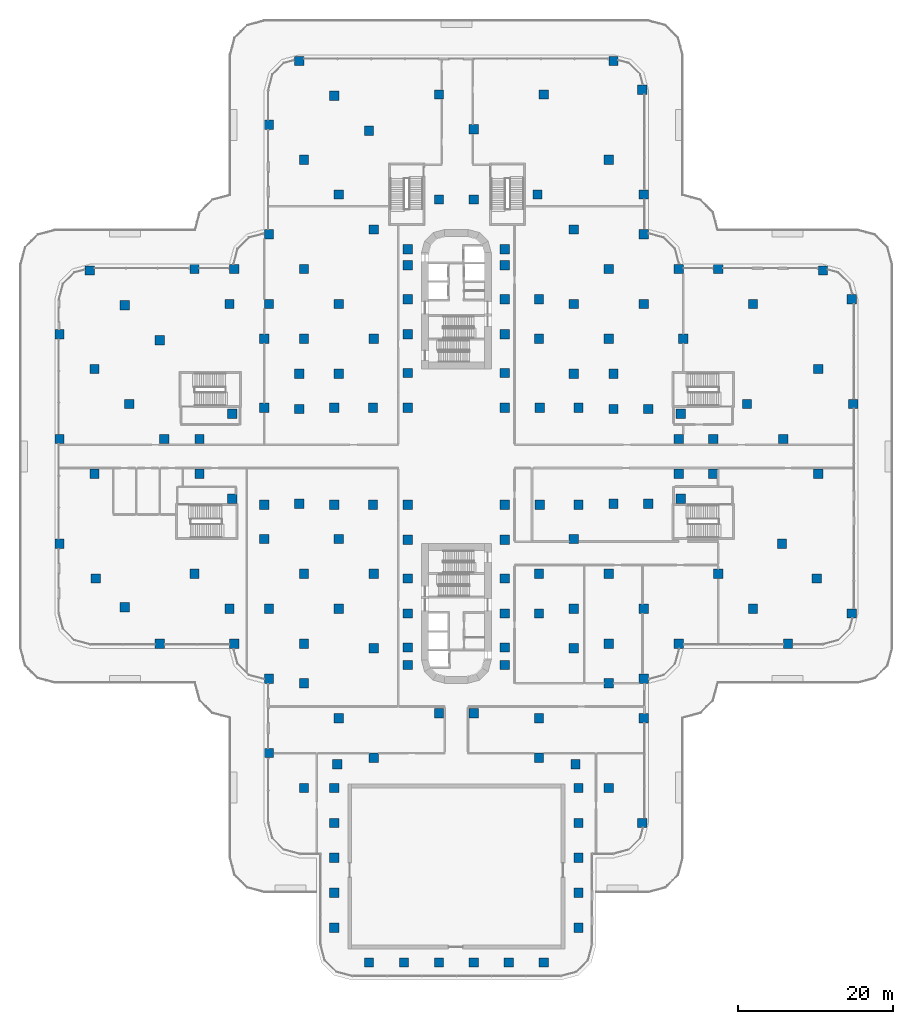
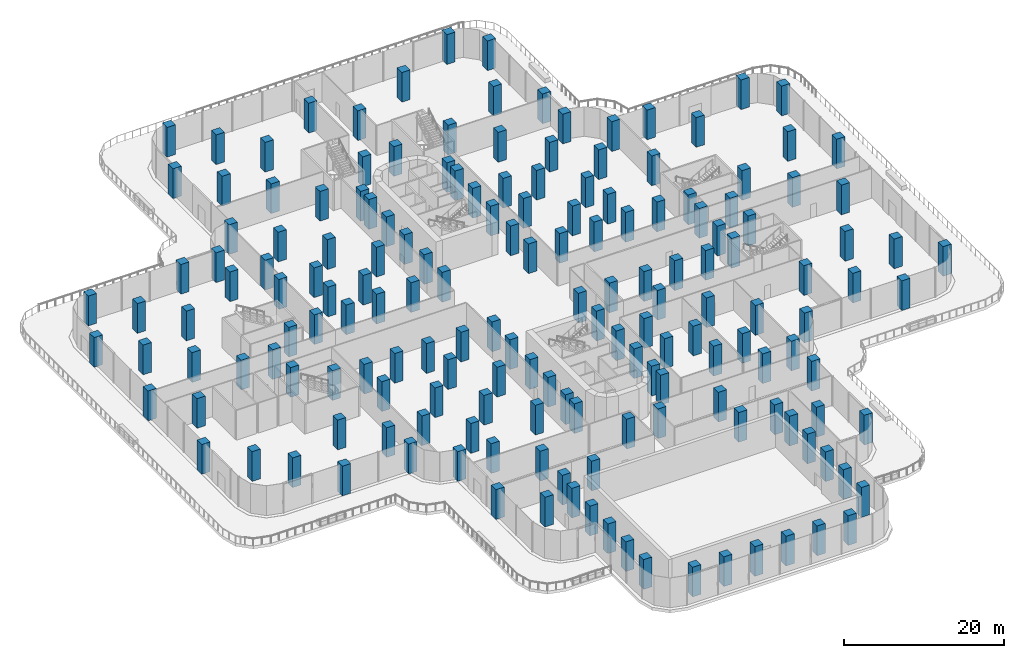
# One storey, part 1 of 30: 172 columns.
"""IFC4 building model written with IfcOpenShell, lengths in metres."""

from ifc_helpers import new_model, si_unit, direction, frame, origin, origin_2d, place, context, subcontext, project, spatial, rectangle, extrude, material, material_profile, profile_set, type_object, element, save


model = new_model("IFC4")

# Units and contexts
model_context = context("Model", 3, precision=1e-05, world=origin(), true_north=direction((0.0, 1.0)))
body_context = subcontext(model_context, "Body", "Model", "MODEL_VIEW")
ifc_project = project(units=[si_unit("LENGTHUNIT", "METRE"), si_unit("AREAUNIT", "SQUARE_METRE"), si_unit("VOLUMEUNIT", "CUBIC_METRE"), si_unit("PLANEANGLEUNIT", "RADIAN"), si_unit("MASSUNIT", "GRAM", prefix="KILO")], contexts=[model_context])

# Site, building, storey
site_placement = place(None, origin())
site = spatial("IfcSite", under=ifc_project, at=site_placement, CompositionType="ELEMENT")
building_placement = place(site_placement, origin())
building = spatial("IfcBuilding", under=site, at=building_placement, Name="Zarbagh Exchange Tower", CompositionType="ELEMENT")
storey_placement = place(building_placement, frame((0.0, 0.0, 7.0)))
storey = spatial("IfcBuildingStorey", under=building, at=storey_placement, Name="L01", CompositionType="ELEMENT", Elevation=7.0)

# Columns
ifc_material = material(Name="Concrete C60/75", Category="concrete")
ifc_material_profile = material_profile(ifc_material, rectangle(XDim=1.199951171875, YDim=1.199951171875, at=origin_2d()), Name="RC column 1200 x 1200 C60/75")
ifc_profile_set = profile_set([ifc_material_profile], Name="Concrete C60/75")
column_type = type_object("IfcColumnType", Name="RC column 1200 x 1200 C60/75", PredefinedType="COLUMN", material=ifc_profile_set)
for number, where, z_axis, x_axis, name in (
    (1, (-51.14990234375, -11.25, 0.0), (0.0, 0.0, 1.0), (1.0, 0.0, 0.0), "C1 6/Q"),
    (2, (-51.14990234375, 2.25, 0.0), (0.0, 0.0, 1.0), (1.0, 0.0, 0.0), "C1 6/T"),
    (3, (-51.14990234375, 15.75, 0.0), (0.0, 0.0, 1.0), (1.0, 0.0, 0.0), "C1 6/W"),
    (4, (-46.469970703125, -15.75, 0.0), (0.0, 0.0, 1.0), (1.0, 0.0, 0.0), "C1 7/P"),
    (5, (-46.64990234375, -2.25, 0.0), (0.0, 0.0, 1.0), (1.0, 0.0, 0.0), "C1 7/S"),
    (6, (-46.64990234375, 11.25, 0.0), (0.0, 0.0, 1.0), (1.0, 0.0, 0.0), "C1 7/V"),
    (7, (-47.25, 23.969970703125, 0.0), (0.0, 0.0, 1.0), (1.0, 0.0, 0.0), "C1 7/Y"),
    (8, (-42.75, -19.469970703125, 0.0), (0.0, 0.0, 1.0), (1.0, 0.0, 0.0), "C1 8/N"),
    (9, (-42.14990234375, 6.75, 0.0), (0.0, 0.0, 1.0), (1.0, 0.0, 0.0), "C1 8/U"),
    (10, (-42.75, 19.469970703125, 0.0), (0.0, 0.0, 1.0), (1.0, 0.0, 0.0), "C1 8/X"),
    (11, (-38.25, -24.14990234375, 0.0), (0.0, 0.0, 1.0), (1.0, 0.0, 0.0), "C1 9/M"),
    (12, (-37.64990234375, 2.25, 0.0), (0.0, 0.0, 1.0), (1.0, 0.0, 0.0), "C1 9/T"),
    (13, (-38.25, 14.969970703125, 0.0), (0.0, 0.0, 1.0), (1.0, 0.0, 0.0), "C1 9/W"),
    (14, (-33.75, -15.14990234375, 0.0), (0.0, 0.0, 1.0), (1.0, 0.0, 0.0), "C1 10/P"),
    (15, (-33.110107421875, -2.25, 0.0), (0.0, 0.0, 1.0), (1.0, 0.0, 0.0), "C1 10/S"),
    (16, (-33.110107421875, 2.25, 0.0), (0.0, 0.0, 1.0), (1.0, 0.0, 0.0), "C1 10/T"),
    (17, (-33.75, 24.14990234375, 0.0), (0.0, 0.0, 1.0), (1.0, 0.0, 0.0), "C1 10/Y"),
    (18, (-28.64990234375, -24.14990234375, 0.0), (0.0, 0.0, 1.0), (1.0, 0.0, 0.0), "C1 11/M"),
    (19, (-29.25, -19.64990234375, 0.0), (0.0, 0.0, 1.0), (1.0, 0.0, 0.0), "C1 11/N"),
    (20, (-28.907958984375, -5.47509765625, 0.0), (0.0, 0.0, 1.0), (1.0, 0.0, 0.0), "C1 11/R"),
    (21, (-28.907958984375, 5.47509765625, 0.0), (0.0, 0.0, 1.0), (1.0, 0.0, 0.0), "C1 11/U"),
    (22, (-29.25, 19.64990234375, 0.0), (0.0, 0.0, 1.0), (1.0, 0.0, 0.0), "C1 11/X"),
    (23, (-28.64990234375, 24.14990234375, 0.0), (0.0, 0.0, 1.0), (1.0, 0.0, 0.0), "C1 11/Y"),
    (24, (-24.14990234375, -38.25, 0.0), (0.0, 0.0, 1.0), (1.0, 0.0, 0.0), "C1 12/J"),
    (25, (-24.14990234375, -28.64990234375, 0.0), (0.0, 0.0, 1.0), (1.0, 0.0, 0.0), "C1 12/L"),
    (26, (-24.14990234375, -19.64990234375, 0.0), (0.0, 0.0, 1.0), (1.0, 0.0, 0.0), "C1 12/N"),
    (27, (-24.75, -10.64990234375, 0.0), (0.0, 0.0, 1.0), (1.0, 0.0, 0.0), "C1 12/Q"),
    (28, (-24.75, -6.25, 0.0), (0.0, 0.0, 1.0), (1.0, 0.0, 0.0), "C1 12/R"),
    (29, (-24.75, 6.25, 0.0), (0.0, 0.0, 1.0), (1.0, 0.0, 0.0), "C1 12/U"),
    (30, (-24.75, 15.14990234375, 0.0), (0.0, 0.0, 1.0), (1.0, 0.0, 0.0), "C1 12/W"),
    (31, (-24.14990234375, 19.64990234375, 0.0), (0.0, 0.0, 1.0), (1.0, 0.0, 0.0), "C1 12/X"),
    (32, (-24.14990234375, 28.64990234375, 0.0), (0.0, 0.0, 1.0), (1.0, 0.0, 0.0), "C1 12/Z"),
    (33, (-24.14990234375, 42.75, 0.0), (0.0, 0.0, 1.0), (1.0, 0.0, 0.0), "C1 12/AC"),
    (34, (-19.64990234375, -42.75, 0.0), (0.0, 0.0, 1.0), (1.0, 0.0, 0.0), "C1 13/H"),
    (35, (-19.64990234375, -29.25, 0.0), (0.0, 0.0, 1.0), (1.0, 0.0, 0.0), "C1 13/L"),
    (36, (-19.64990234375, -24.14990234375, 0.0), (0.0, 0.0, 1.0), (1.0, 0.0, 0.0), "C1 13/M"),
    (37, (-19.64990234375, -15.14990234375, 0.0), (0.0, 0.0, 1.0), (1.0, 0.0, 0.0), "C1 13/P"),
    (38, (-20.25, -6.110107421875, 0.0), (0.0, 0.0, 1.0), (1.0, 0.0, 0.0), "C1 13/R"),
    (39, (-20.25, 6.110107421875, 0.0), (0.0, 0.0, 1.0), (1.0, 0.0, 0.0), "C1 13/U"),
    (40, (-20.25, 10.64990234375, 0.0), (0.0, 0.0, 1.0), (1.0, 0.0, 0.0), "C1 13/V"),
    (41, (-19.64990234375, 15.14990234375, 0.0), (0.0, 0.0, 1.0), (1.0, 0.0, 0.0), "C1 13/W"),
    (42, (-19.64990234375, 24.14990234375, 0.0), (0.0, 0.0, 1.0), (1.0, 0.0, 0.0), "C1 13/Y"),
    (43, (-19.64990234375, 38.25, 0.0), (0.0, 0.0, 1.0), (1.0, 0.0, 0.0), "C1 13/AB"),
    (44, (-20.25, 50.969970703125, 0.0), (0.0, 0.0, 1.0), (1.0, 0.0, 0.0), "C1 13/AE"),
    (45, (-15.75, -60.75, 0.0), (0.0, 0.0, 1.0), (1.0, 0.0, 0.0), "C1 14/D"),
    (46, (-15.75, -56.25, 0.0), (0.0, 0.0, 1.0), (1.0, 0.0, 0.0), "C1 14/E"),
    (47, (-15.75, -51.75, 0.0), (0.0, 0.0, 1.0), (1.0, 0.0, 0.0), "C1 14/F"),
    (48, (-15.75, -47.25, 0.0), (0.0, 0.0, 1.0), (1.0, 0.0, 0.0), "C1 14/G"),
    (49, (-15.75, -42.75, 0.0), (0.0, 0.0, 1.0), (1.0, 0.0, 0.0), "C1 14/H"),
    (50, (-15.366943359375, -39.679931640625, 0.0), (0.0, 0.0, 1.0), (1.0, 0.0, 0.0), "C1 14/J"),
    (51, (-15.14990234375, -33.75, 0.0), (0.0, 0.0, 1.0), (1.0, 0.0, 0.0), "C1 14/K"),
    (52, (-15.14990234375, -19.64990234375, 0.0), (0.0, 0.0, 1.0), (1.0, 0.0, 0.0), "C1 14/N"),
    (53, (-15.14990234375, -10.64990234375, 0.0), (0.0, 0.0, 1.0), (1.0, 0.0, 0.0), "C1 14/Q"),
    (54, (-15.75, -6.25, 0.0), (0.0, 0.0, 1.0), (1.0, 0.0, 0.0), "C1 14/R"),
    (55, (-15.75, 6.25, 0.0), (0.0, 0.0, 1.0), (1.0, 0.0, 0.0), "C1 14/U"),
    (56, (-15.14990234375, 10.64990234375, 0.0), (0.0, 0.0, 1.0), (1.0, 0.0, 0.0), "C1 14/V"),
    (57, (-15.14990234375, 19.64990234375, 0.0), (0.0, 0.0, 1.0), (1.0, 0.0, 0.0), "C1 14/X"),
    (58, (-15.14990234375, 33.75, 0.0), (0.0, 0.0, 1.0), (1.0, 0.0, 0.0), "C1 14/AA"),
    (59, (-15.75, 46.469970703125, 0.0), (0.0, 0.0, 1.0), (1.0, 0.0, 0.0), "C1 14/AD"),
    (60, (-11.25, -65.25, 0.0), (0.0, 0.0, 1.0), (1.0, 0.0, 0.0), "C1 15/C"),
    (61, (-10.64990234375, -38.85009765625, 0.0), (0.0, 0.0, 1.0), (1.0, 0.0, 0.0), "C1 15/J"),
    (62, (-10.64990234375, -24.75, 0.0), (0.0, 0.0, 1.0), (1.0, 0.0, 0.0), "C1 15/M"),
    (63, (-10.64990234375, -15.14990234375, 0.0), (0.0, 0.0, 1.0), (1.0, 0.0, 0.0), "C1 15/P"),
    (64, (-10.75, -6.25, 0.0), (0.0, 0.0, 1.0), (1.0, 0.0, 0.0), "C1 15/R"),
    (65, (-10.75, 6.25, 0.0), (0.0, 0.0, 1.0), (1.0, 0.0, 0.0), "C1 15/U"),
    (66, (-10.64990234375, 15.14990234375, 0.0), (0.0, 0.0, 1.0), (1.0, 0.0, 0.0), "C1 15/W"),
    (67, (-10.64990234375, 29.25, 0.0), (0.0, 0.0, 1.0), (1.0, 0.0, 0.0), "C1 15/Z"),
    (68, (-11.25, 41.969970703125, 0.0), (0.0, 0.0, 1.0), (1.0, 0.0, 0.0), "C1 15/AC"),
    (69, (-6.75, -65.25, 0.0), (0.0, 0.0, 1.0), (1.0, 0.0, 0.0), "C1 16/C"),
    (70, (-6.25, -26.89990234375, 0.0), (0.0, 0.0, 1.0), (1.0, 0.0, 0.0), "C1 16/L"),
    (71, (-6.25, -24.64990234375, 0.0), (0.0, 0.0, 1.0), (1.0, 0.0, 0.0), "C1 16/M"),
    (72, (-6.25, -20.25, 0.0), (0.0, 0.0, 1.0), (1.0, 0.0, 0.0), "C1 16/N"),
    (73, (-6.25, -15.75, 0.0), (0.0, 0.0, 1.0), (1.0, 0.0, 0.0), "C1 16/P"),
    (74, (-6.25, -10.75, 0.0), (0.0, 0.0, 1.0), (1.0, 0.0, 0.0), "C1 16/Q"),
    (75, (-6.25, -6.25, 0.0), (0.0, 0.0, 1.0), (1.0, 0.0, 0.0), "C1 16/R"),
    (76, (-6.25, 6.25, 0.0), (0.0, 0.0, 1.0), (1.0, 0.0, 0.0), "C1 16/U"),
    (77, (-6.25, 10.75, 0.0), (0.0, 0.0, 1.0), (1.0, 0.0, 0.0), "C1 16/V"),
    (78, (-6.25, 15.75, 0.0), (0.0, 0.0, 1.0), (1.0, 0.0, 0.0), "C1 16/W"),
    (79, (-6.25, 20.25, 0.0), (0.0, 0.0, 1.0), (1.0, 0.0, 0.0), "C1 16/X"),
    (80, (-6.25, 24.64990234375, 0.0), (0.0, 0.0, 1.0), (1.0, 0.0, 0.0), "C1 16/Y"),
    (81, (-6.25, 26.699951171875, 0.0), (0.0, 0.0, 1.0), (1.0, 0.0, 0.0), "C1 16/Z"),
    (82, (-2.25, -65.25, 0.0), (0.0, 0.0, 1.0), (1.0, 0.0, 0.0), "C1 17/C"),
    (83, (-2.25, -33.110107421875, 0.0), (0.0, 0.0, 1.0), (1.0, 0.0, 0.0), "C1 17/K"),
    (84, (-2.25, 33.110107421875, 0.0), (0.0, 0.0, 1.0), (1.0, 0.0, 0.0), "C1 17/AA"),
    (85, (-2.25, 46.64990234375, 0.0), (0.0, 0.0, 1.0), (1.0, 0.0, 0.0), "C1 17/AD"),
    (86, (2.25, -65.25, 0.0), (0.0, 0.0, 1.0), (1.0, 0.0, 0.0), "C1 18/C"),
    (87, (2.25, -33.110107421875, 0.0), (0.0, 0.0, 1.0), (1.0, 0.0, 0.0), "C1 18/K"),
    (88, (2.25, 33.110107421875, 0.0), (0.0, 0.0, 1.0), (1.0, 0.0, 0.0), "C1 18/AA"),
    (89, (2.25, 42.14990234375, 0.0), (0.0, 0.0, 1.0), (1.0, 0.0, 0.0), "C1 18/AC"),
    (90, (6.75, -65.25, 0.0), (0.0, 0.0, 1.0), (1.0, 0.0, 0.0), "C1 19/C"),
    (91, (6.25, -26.89990234375, 0.0), (0.0, 0.0, 1.0), (1.0, 0.0, 0.0), "C1 19/L"),
    (92, (6.25, -24.64990234375, 0.0), (0.0, 0.0, 1.0), (1.0, 0.0, 0.0), "C1 19/M"),
    (93, (6.25, -20.25, 0.0), (0.0, 0.0, 1.0), (1.0, 0.0, 0.0), "C1 19/N"),
    (94, (6.25, -15.75, 0.0), (0.0, 0.0, 1.0), (1.0, 0.0, 0.0), "C1 19/P"),
    (95, (6.25, -10.75, 0.0), (0.0, 0.0, 1.0), (1.0, 0.0, 0.0), "C1 19/Q"),
    (96, (6.25, -6.25, 0.0), (0.0, 0.0, 1.0), (1.0, 0.0, 0.0), "C1 19/R"),
    (97, (6.25, 6.25, 0.0), (0.0, 0.0, 1.0), (1.0, 0.0, 0.0), "C1 19/U"),
    (98, (6.25, 10.75, 0.0), (0.0, 0.0, 1.0), (1.0, 0.0, 0.0), "C1 19/V"),
    (99, (6.25, 15.75, 0.0), (0.0, 0.0, 1.0), (1.0, 0.0, 0.0), "C1 19/W"),
    (100, (6.25, 20.25, 0.0), (0.0, 0.0, 1.0), (1.0, 0.0, 0.0), "C1 19/X"),
    (101, (6.25, 24.64990234375, 0.0), (0.0, 0.0, 1.0), (1.0, 0.0, 0.0), "C1 19/Y"),
    (102, (6.25, 26.699951171875, 0.0), (0.0, 0.0, 1.0), (1.0, 0.0, 0.0), "C1 19/Z"),
    (103, (11.25, -65.25, 0.0), (0.0, 0.0, 1.0), (1.0, 0.0, 0.0), "C1 20/C"),
    (104, (10.64990234375, -38.85009765625, 0.0), (0.0, 0.0, 1.0), (1.0, 0.0, 0.0), "C1 20/J"),
    (105, (10.64990234375, -33.75, 0.0), (0.0, 0.0, 1.0), (1.0, 0.0, 0.0), "C1 20/K"),
    (106, (10.64990234375, -20.25, 0.0), (0.0, 0.0, 1.0), (1.0, 0.0, 0.0), "C1 20/N"),
    (107, (10.64990234375, -15.14990234375, 0.0), (0.0, 0.0, 1.0), (1.0, 0.0, 0.0), "C1 20/P"),
    (108, (10.75, -6.25, 0.0), (0.0, 0.0, 1.0), (1.0, 0.0, 0.0), "C1 20/R"),
    (109, (10.75, 6.25, 0.0), (0.0, 0.0, 1.0), (1.0, 0.0, 0.0), "C1 20/U"),
    (110, (10.64990234375, 15.14990234375, 0.0), (0.0, 0.0, 1.0), (1.0, 0.0, 0.0), "C1 20/W"),
    (111, (10.64990234375, 20.25, 0.0), (0.0, 0.0, 1.0), (1.0, 0.0, 0.0), "C1 20/X"),
    (112, (10.469970703125, 33.75, 0.0), (0.0, 0.0, 1.0), (1.0, 0.0, 0.0), "C1 20/AA"),
    (113, (11.25, 46.64990234375, 0.0), (0.0, 0.0, 1.0), (1.0, 0.0, 0.0), "C1 20/AD"),
    (114, (15.75, -60.75, 0.0), (0.0, 0.0, 1.0), (1.0, 0.0, 0.0), "C1 21/D"),
    (115, (15.75, -56.25, 0.0), (0.0, 0.0, 1.0), (1.0, 0.0, 0.0), "C1 21/E"),
    (116, (15.75, -51.75, 0.0), (0.0, 0.0, 1.0), (1.0, 0.0, 0.0), "C1 21/F"),
    (117, (15.75, -47.25, 0.0), (0.0, 0.0, 1.0), (1.0, 0.0, 0.0), "C1 21/G"),
    (118, (15.75, -42.75, 0.0), (0.0, 0.0, 1.0), (1.0, 0.0, 0.0), "C1 21/H"),
    (119, (15.366943359375, -39.679931640625, 0.0), (0.0, 0.0, 1.0), (1.0, 0.0, 0.0), "C1 21/J"),
    (120, (15.14990234375, -24.75, 0.0), (0.0, 0.0, 1.0), (1.0, 0.0, 0.0), "C1 21/M"),
    (121, (15.14990234375, -19.64990234375, 0.0), (0.0, 0.0, 1.0), (1.0, 0.0, 0.0), "C1 21/N"),
    (122, (15.14990234375, -10.64990234375, 0.0), (0.0, 0.0, 1.0), (1.0, 0.0, 0.0), "C1 21/Q"),
    (123, (15.75, -6.25, 0.0), (0.0, 0.0, 1.0), (1.0, 0.0, 0.0), "C1 21/R"),
    (124, (15.75, 6.25, 0.0), (0.0, 0.0, 1.0), (1.0, 0.0, 0.0), "C1 21/U"),
    (125, (15.14990234375, 10.64990234375, 0.0), (0.0, 0.0, 1.0), (1.0, 0.0, 0.0), "C1 21/V"),
    (126, (15.14990234375, 19.64990234375, 0.0), (0.0, 0.0, 1.0), (1.0, 0.0, 0.0), "C1 21/X"),
    (127, (15.14990234375, 29.25, 0.0), (0.0, 0.0, 1.0), (1.0, 0.0, 0.0), "C1 21/Z"),
    (128, (19.64990234375, -42.75, 0.0), (0.0, 0.0, 1.0), (1.0, 0.0, 0.0), "C1 22/H"),
    (129, (19.64990234375, -29.25, 0.0), (0.0, 0.0, 1.0), (1.0, 0.0, 0.0), "C1 22/L"),
    (130, (19.64990234375, -24.14990234375, 0.0), (0.0, 0.0, 1.0), (1.0, 0.0, 0.0), "C1 22/M"),
    (131, (19.64990234375, -15.14990234375, 0.0), (0.0, 0.0, 1.0), (1.0, 0.0, 0.0), "C1 22/P"),
    (132, (20.25, -6.110107421875, 0.0), (0.0, 0.0, 1.0), (1.0, 0.0, 0.0), "C1 22/R"),
    (133, (20.25, 6.110107421875, 0.0), (0.0, 0.0, 1.0), (1.0, 0.0, 0.0), "C1 22/U"),
    (134, (20.25, 10.64990234375, 0.0), (0.0, 0.0, 1.0), (1.0, 0.0, 0.0), "C1 22/V"),
    (135, (19.64990234375, 15.14990234375, 0.0), (0.0, 0.0, 1.0), (1.0, 0.0, 0.0), "C1 22/W"),
    (136, (19.64990234375, 24.14990234375, 0.0), (0.0, 0.0, 1.0), (1.0, 0.0, 0.0), "C1 22/Y"),
    (137, (19.64990234375, 38.25, 0.0), (0.0, 0.0, 1.0), (1.0, 0.0, 0.0), "C1 22/AB"),
    (138, (20.25, 50.969970703125, 0.0), (0.0, 0.0, 1.0), (1.0, 0.0, 0.0), "C1 22/AE"),
    (139, (23.969970703125, -47.25, 0.0), (0.0, 0.0, 1.0), (1.0, 0.0, 0.0), "C1 23/G"),
    (140, (24.14990234375, -33.75, 0.0), (0.0, 0.0, 1.0), (1.0, 0.0, 0.0), "C1 23/K"),
    (141, (24.14990234375, -28.64990234375, 0.0), (0.0, 0.0, 1.0), (1.0, 0.0, 0.0), "C1 23/L"),
    (142, (24.14990234375, -19.64990234375, 0.0), (0.0, 0.0, 1.0), (1.0, 0.0, 0.0), "C1 23/N"),
    (143, (24.75, -6.110107421875, 0.0), (0.0, 0.0, 1.0), (1.0, 0.0, 0.0), "C1 23/R"),
    (144, (24.75, 6.110107421875, 0.0), (0.0, 0.0, 1.0), (1.0, 0.0, 0.0), "C1 23/U"),
    (145, (24.14990234375, 19.64990234375, 0.0), (0.0, 0.0, 1.0), (1.0, 0.0, 0.0), "C1 23/X"),
    (146, (24.14990234375, 28.64990234375, 0.0), (0.0, 0.0, 1.0), (1.0, 0.0, 0.0), "C1 23/Z"),
    (147, (24.14990234375, 33.75, 0.0), (0.0, 0.0, 1.0), (1.0, 0.0, 0.0), "C1 23/AA"),
    (148, (23.969970703125, 47.25, 0.0), (0.0, 0.0, 1.0), (1.0, 0.0, 0.0), "C1 23/AD"),
    (149, (28.64990234375, -24.14990234375, 0.0), (0.0, 0.0, 1.0), (1.0, 0.0, 0.0), "C1 24/M"),
    (150, (28.907958984375, -5.47509765625, 0.0), (0.0, 0.0, 1.0), (1.0, 0.0, 0.0), "C1 24/R"),
    (151, (28.669921875, -2.25, 0.0), (0.0, 0.0, 1.0), (1.0, 0.0, 0.0), "C1 24/S"),
    (152, (28.669921875, 2.25, 0.0), (0.0, 0.0, 1.0), (1.0, 0.0, 0.0), "C1 24/T"),
    (153, (28.907958984375, 5.47509765625, 0.0), (0.0, 0.0, 1.0), (1.0, 0.0, 0.0), "C1 24/U"),
    (154, (29.25, 15.14990234375, 0.0), (0.0, 0.0, 1.0), (1.0, 0.0, 0.0), "C1 24/W"),
    (155, (28.64990234375, 24.14990234375, 0.0), (0.0, 0.0, 1.0), (1.0, 0.0, 0.0), "C1 24/Y"),
    (156, (33.75, -15.14990234375, 0.0), (0.0, 0.0, 1.0), (1.0, 0.0, 0.0), "C1 25/P"),
    (157, (33.110107421875, -2.25, 0.0), (0.0, 0.0, 1.0), (1.0, 0.0, 0.0), "C1 25/S"),
    (158, (33.110107421875, 2.25, 0.0), (0.0, 0.0, 1.0), (1.0, 0.0, 0.0), "C1 25/T"),
    (159, (33.75, 24.14990234375, 0.0), (0.0, 0.0, 1.0), (1.0, 0.0, 0.0), "C1 25/Y"),
    (160, (38.25, -19.64990234375, 0.0), (0.0, 0.0, 1.0), (1.0, 0.0, 0.0), "C1 26/N"),
    (161, (37.469970703125, 6.75, 0.0), (0.0, 0.0, 1.0), (1.0, 0.0, 0.0), "C1 26/U"),
    (162, (38.25, 19.64990234375, 0.0), (0.0, 0.0, 1.0), (1.0, 0.0, 0.0), "C1 26/X"),
    (163, (42.75, -24.14990234375, 0.0), (0.0, 0.0, 1.0), (1.0, 0.0, 0.0), "C1 27/M"),
    (164, (41.969970703125, -11.25, 0.0), (0.0, 0.0, 1.0), (1.0, 0.0, 0.0), "C1 27/Q"),
    (165, (42.14990234375, 2.25, 0.0), (0.0, 0.0, 1.0), (1.0, 0.0, 0.0), "C1 27/T"),
    (166, (46.469970703125, -15.75, 0.0), (0.0, 0.0, 1.0), (1.0, 0.0, 0.0), "C1 28/P"),
    (167, (46.64990234375, -2.25, 0.0), (0.0, 0.0, 1.0), (1.0, 0.0, 0.0), "C1 28/S"),
    (168, (46.64990234375, 11.25, 0.0), (0.0, 0.0, 1.0), (1.0, 0.0, 0.0), "C1 28/V"),
    (169, (47.25, 23.969970703125, 0.0), (0.0, 0.0, 1.0), (1.0, 0.0, 0.0), "C1 28/Y"),
    (170, (50.969970703125, -20.25, 0.0), (0.0, 0.0, 1.0), (1.0, 0.0, 0.0), "C1 29/N"),
    (171, (51.14990234375, 6.75, 0.0), (0.0, 0.0, 1.0), (1.0, 0.0, 0.0), "C1 29/U"),
    (172, (50.969970703125, 20.25, 0.0), (0.0, 0.0, 1.0), (1.0, 0.0, 0.0), "C1 29/X"),
):
    element("IfcColumn", number, at=place(storey_placement, frame(where, z_axis=z_axis, x_axis=x_axis)), inside=storey, type_object=column_type, Name=name, PredefinedType="COLUMN", context=body_context, shape_type="SweptSolid", body=[
        extrude(rectangle(XDim=1.199951171875, YDim=1.199951171875, at=origin_2d()), origin(), (0.0, 0.0, 1.0), 4.550048828125),
    ])

save(model, "model.ifc")
